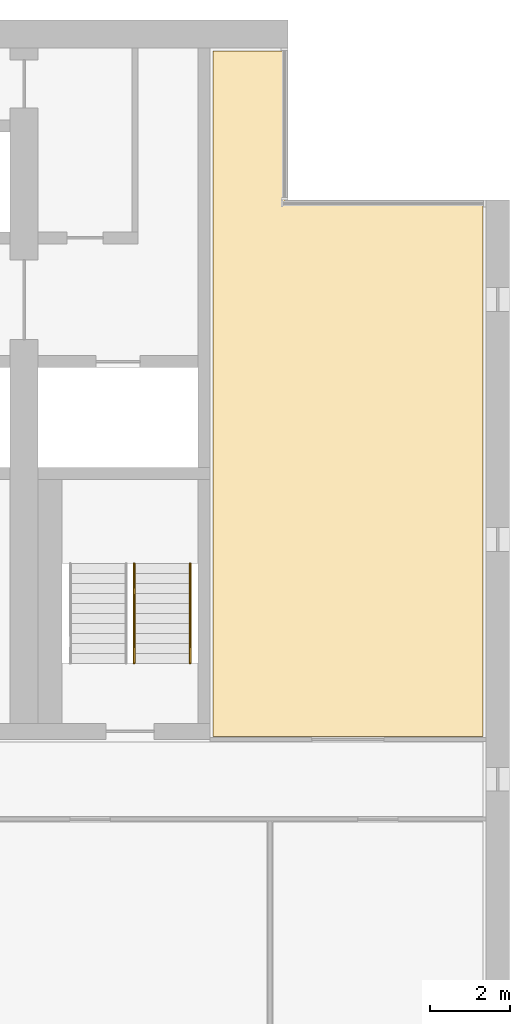
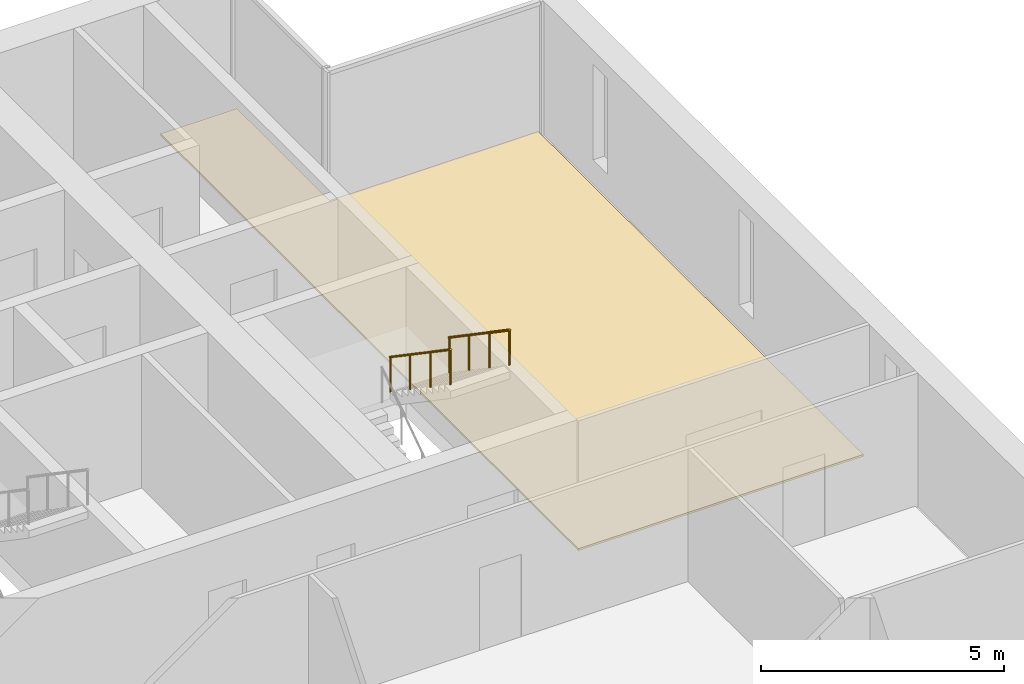
# One storey, part 17 of 17: 2 railings, 1 covering, 1 element without a shape of its own.
"""IFC4 building model written with IfcOpenShell, lengths in metres."""

from ifc_helpers import new_model, si_unit, direction, frame, origin, origin_2d, place, context, subcontext, project, spatial, polyline, circle, outline, extrude, material, layer, layer_set, type_object, element, aggregate, save


model = new_model("IFC4")

# Units and contexts
model_context = context("Model", 3, precision=1e-05, world=origin(), true_north=direction((0.0, 1.0)))
body_context = subcontext(model_context, "Body", "Model", "MODEL_VIEW")
ifc_project = project(units=[si_unit("LENGTHUNIT", "METRE"), si_unit("AREAUNIT", "SQUARE_METRE"), si_unit("VOLUMEUNIT", "CUBIC_METRE"), si_unit("PLANEANGLEUNIT", "RADIAN"), si_unit("MASSUNIT", "GRAM", prefix="KILO")], contexts=[model_context])

# Site, building, storey
site_placement = place(None, origin())
site = spatial("IfcSite", under=ifc_project, at=site_placement, CompositionType="ELEMENT")
building_placement = place(site_placement, origin())
building = spatial("IfcBuilding", under=site, at=building_placement, Name="Calvaro Tower", CompositionType="ELEMENT")
storey_placement = place(building_placement, frame((0.0, 0.0, 170.5)))
storey = spatial("IfcBuildingStorey", under=building, at=storey_placement, Name="L42", CompositionType="ELEMENT", Elevation=170.5)

# Covering
ifc_material_1 = material(Name="Cement screed with carpet tile finish")
ifc_layer = layer(ifc_material_1, 0.050048828125)
ifc_layer_set = layer_set([ifc_layer], Name="Cement screed with carpet tile finish")
covering_type = type_object("IfcCoveringType", Name="Floor finish 50", PredefinedType="FLOORING", material=ifc_layer_set)
covering_placement = place(storey_placement, origin())
element("IfcCovering", 1, at=covering_placement, inside=storey, type_object=covering_type, Name="Floor finish 25.19", PredefinedType="FLOORING", context=body_context, shape_type="SweptSolid", body=[
    extrude(outline(polyline([(71.330078125, 28.070068359375), (64.570068359375, 28.070068359375), (64.570068359375, 45.22998046875), (66.3798828125, 45.22998046875), (66.3798828125, 41.429931640625), (71.330078125, 41.429931640625), (71.330078125, 28.070068359375)])), origin(), (0.0, 0.0, 1.0), 0.050048828125),
])

# Stair, railings
ifc_material_2 = material(Name="Concrete C40/50", Category="concrete")
stair_type = type_object("IfcStairType", Name="Exit stair 1400 2 flights", PredefinedType="HALF_TURN_STAIR", material=ifc_material_2)
stair_placement = place(storey_placement, origin())
stair = element("IfcStair", 2, at=stair_placement, inside=storey, type_object=stair_type, Name="Exit stair S5", PredefinedType="HALF_TURN_STAIR")
ifc_material_3 = material(Name="Stainless steel", Category="steel")
railing_type = type_object("IfcRailingType", Name="Stair handrail", PredefinedType="HANDRAIL", material=ifc_material_3)
railing_1_placement = place(storey_placement, frame((62.60009765625, 32.39990234375, 2.04541015625)))
railing_1 = element("IfcRailing", 3, at=railing_1_placement, type_object=railing_type, Name="Exit stair 5 handrail", PredefinedType="HANDRAIL", context=body_context, shape_type="SweptSolid", body=[
    extrude(circle(Radius=0.02392578125, at=origin_2d()), frame((0.0, 0.0, 0.8759765625), z_axis=(0.0, -0.826220514629, 0.563346839174), x_axis=(1.0, 0.0, 0.0)), (0.0, 0.0, 1.0), 3.02587890625),
    extrude(circle(Radius=0.02099609375, at=origin_2d()), frame((0.0, -0.017333984375, 0.01171875)), (0.0, 0.0, 1.0), 0.851806640625),
    extrude(circle(Radius=0.02099609375, at=origin_2d()), frame((0.0, -0.833251953125, 0.568115234375)), (0.0, 0.0, 1.0), 0.851806640625),
    extrude(circle(Radius=0.02099609375, at=origin_2d()), frame((0.0, -1.666748046875, 1.136474609375)), (0.0, 0.0, 1.0), 0.851806640625),
    extrude(circle(Radius=0.02099609375, at=origin_2d()), frame((0.0, -2.482666015625, 1.69287109375)), (0.0, 0.0, 1.0), 0.851806640625),
])
railing_2_placement = place(storey_placement, frame((64.0, 32.39990234375, 2.04541015625)))
railing_2 = element("IfcRailing", 4, at=railing_2_placement, type_object=railing_type, Name="Exit stair 5 handrail", PredefinedType="HANDRAIL", context=body_context, shape_type="SweptSolid", body=[
    extrude(circle(Radius=0.02392578125, at=origin_2d()), frame((0.0, 0.0, 0.8759765625), z_axis=(0.0, -0.826220514629, 0.563346839174), x_axis=(1.0, 0.0, 0.0)), (0.0, 0.0, 1.0), 3.02587890625),
    extrude(circle(Radius=0.02099609375, at=origin_2d()), frame((0.0, -0.017333984375, 0.01171875)), (0.0, 0.0, 1.0), 0.851806640625),
    extrude(circle(Radius=0.02099609375, at=origin_2d()), frame((0.0, -0.833251953125, 0.568115234375)), (0.0, 0.0, 1.0), 0.851806640625),
    extrude(circle(Radius=0.02099609375, at=origin_2d()), frame((0.0, -1.666748046875, 1.136474609375)), (0.0, 0.0, 1.0), 0.851806640625),
    extrude(circle(Radius=0.02099609375, at=origin_2d()), frame((0.0, -2.482666015625, 1.69287109375)), (0.0, 0.0, 1.0), 0.851806640625),
])
aggregate(stair, [railing_1, railing_2])

save(model, "model.ifc")
